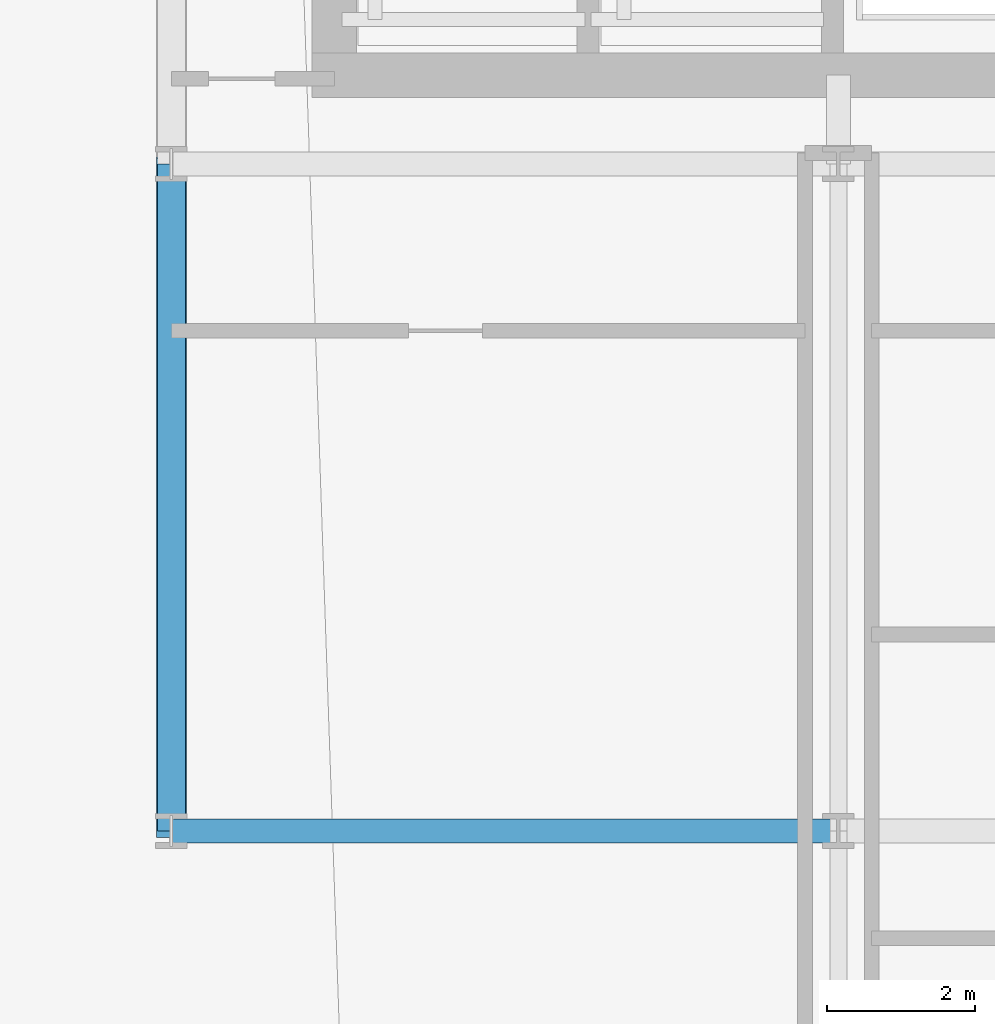
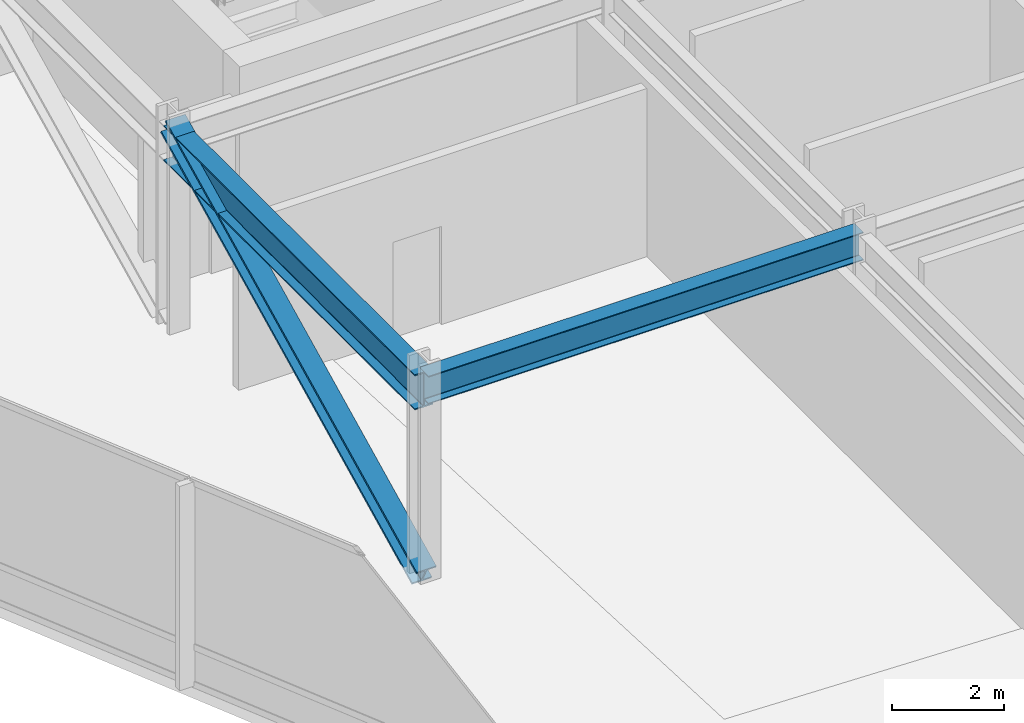
# One storey, part 6 of 42: 2 beams, 1 member.
"""IFC4 building model written with IfcOpenShell, lengths in metres."""

from ifc_helpers import new_model, si_unit, direction, frame, origin, origin_2d, place, context, subcontext, project, spatial, i_section, extrude, material, material_profile, profile_set, type_object, element, save


model = new_model("IFC4")

# Units and contexts
model_context = context("Model", 3, precision=1e-05, world=origin(), true_north=direction((0.0, 1.0)))
body_context = subcontext(model_context, "Body", "Model", "MODEL_VIEW")
ifc_project = project(units=[si_unit("LENGTHUNIT", "METRE"), si_unit("AREAUNIT", "SQUARE_METRE"), si_unit("VOLUMEUNIT", "CUBIC_METRE"), si_unit("PLANEANGLEUNIT", "RADIAN"), si_unit("MASSUNIT", "GRAM", prefix="KILO")], contexts=[model_context])

# Site, building, storey
site_placement = place(None, origin())
site = spatial("IfcSite", under=ifc_project, at=site_placement, CompositionType="ELEMENT")
building_placement = place(site_placement, origin())
building = spatial("IfcBuilding", under=site, at=building_placement, Name="Solvaryn Broadcast Tower", CompositionType="ELEMENT")
storey_placement = place(building_placement, frame((0.0, 0.0, 100.199951171875)))
storey = spatial("IfcBuildingStorey", under=building, at=storey_placement, Name="L24", CompositionType="ELEMENT", Elevation=100.199951171875)

# Beams
ifc_material_1 = material(Name="Steel ASTM A992 Grade 50", Category="steel")
ifc_material_profile_1 = material_profile(ifc_material_1, i_section(OverallWidth=0.323974609375, OverallDepth=0.611083984375, WebThickness=0.0126953125, FlangeThickness=0.01904296875, FilletRadius=0.014892578125, at=origin_2d()))
ifc_profile_set_1 = profile_set([ifc_material_profile_1], Name="Steel ASTM A992 Grade 50")
beam_type_1 = type_object("IfcBeamType", Name="BM-B1-W24X104", PredefinedType="BEAM", material=ifc_profile_set_1)
beam_1_placement = place(storey_placement, frame((9.0, 18.0, 4.16455078125), z_axis=(1.0, 0.0, 0.0), x_axis=(0.0, 1.0, 0.0)))
element("IfcBeam", 1, at=beam_1_placement, inside=storey, type_object=beam_type_1, Name="L24 Primary Beam X (9-18 @ Y=18)", PredefinedType="BEAM", context=body_context, shape_type="SweptSolid", body=[
    extrude(i_section(OverallWidth=0.323974609375, OverallDepth=0.611083984375, WebThickness=0.0126953125, FlangeThickness=0.01904296875, FilletRadius=0.014892578125, at=origin_2d()), origin(), (0.0, 0.0, 1.0), 9.0),
])
ifc_material_2 = material(Name="Steel ASTM A992 Grade 50", Category="steel")
ifc_material_profile_2 = material_profile(ifc_material_2, i_section(OverallWidth=0.381103515625, OverallDepth=0.77294921875, WebThickness=0.0166015625, FlangeThickness=0.027099609375, FilletRadius=0.01806640625, at=origin_2d()))
ifc_profile_set_2 = profile_set([ifc_material_profile_2], Name="Steel ASTM A992 Grade 50")
beam_type_2 = type_object("IfcBeamType", Name="BM-SP1-W30X173", PredefinedType="USERDEFINED", material=ifc_profile_set_2)
beam_2_placement = place(storey_placement, frame((9.0, 18.0, 4.08349609375), z_axis=(0.0, 1.0, 0.0), x_axis=(-1.0, 0.0, 0.0)))
element("IfcBeam", 2, at=beam_2_placement, inside=storey, type_object=beam_type_2, Name="L24 Spandrel Beam Y (18-27 @ X=9)", ObjectType="SPANDREL", PredefinedType="USERDEFINED", context=body_context, shape_type="SweptSolid", body=[
    extrude(i_section(OverallWidth=0.381103515625, OverallDepth=0.77294921875, WebThickness=0.0166015625, FlangeThickness=0.027099609375, FilletRadius=0.01806640625, at=origin_2d()), origin(), (0.0, 0.0, 1.0), 9.0),
])

# Member
ifc_material_3 = material(Name="Steel ASTM A913 Grade 65", Category="steel")
ifc_material_profile_3 = material_profile(ifc_material_3, i_section(OverallWidth=0.406005859375, OverallDepth=0.416015625, WebThickness=0.02978515625, FlangeThickness=0.048095703125, FilletRadius=0.014892578125, at=origin_2d()))
ifc_profile_set_3 = profile_set([ifc_material_profile_3], Name="Steel ASTM A913 Grade 65")
member_type = type_object("IfcMemberType", Name="MB-BELT-1", PredefinedType="BRACE", material=ifc_profile_set_3)
member_placement = place(storey_placement, frame((9.0, 18.0, 0.02001953125), z_axis=(0.0, 0.897203761247, 0.441616814449), x_axis=(-1.0, 0.0, 0.0)))
element("IfcMember", 3, at=member_placement, inside=storey, type_object=member_type, Name="L24 West Belt Diagonal 3", PredefinedType="BRACE", context=body_context, shape_type="SweptSolid", body=[
    extrude(i_section(OverallWidth=0.406005859375, OverallDepth=0.416015625, WebThickness=0.02978515625, FlangeThickness=0.048095703125, FilletRadius=0.014892578125, at=origin_2d()), origin(), (0.0, 0.0, 1.0), 10.03125),
])

save(model, "model.ifc")
